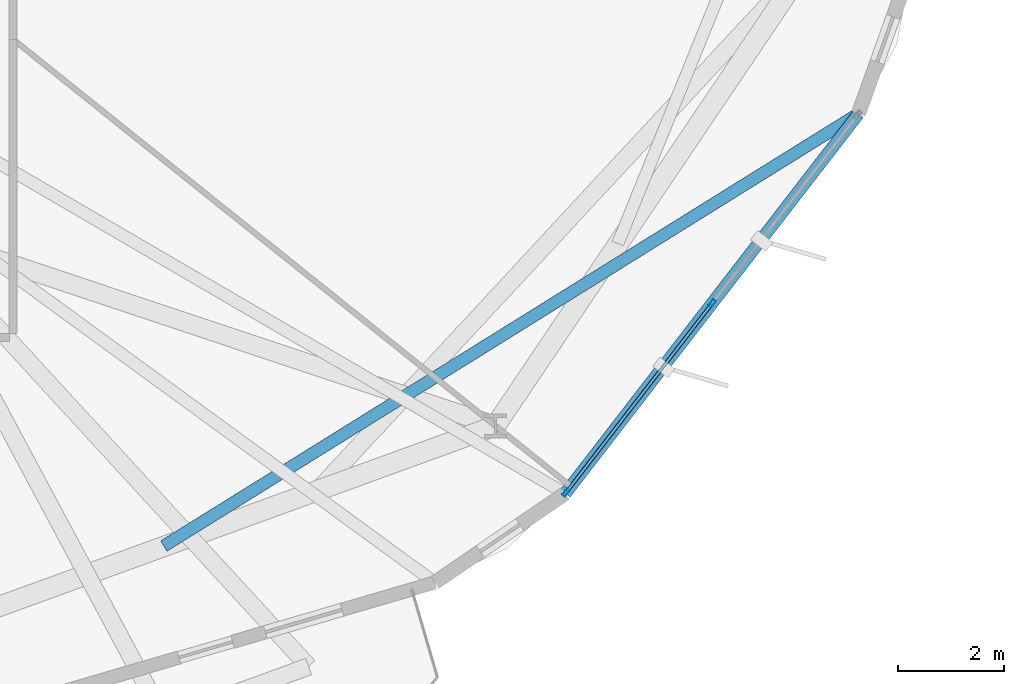
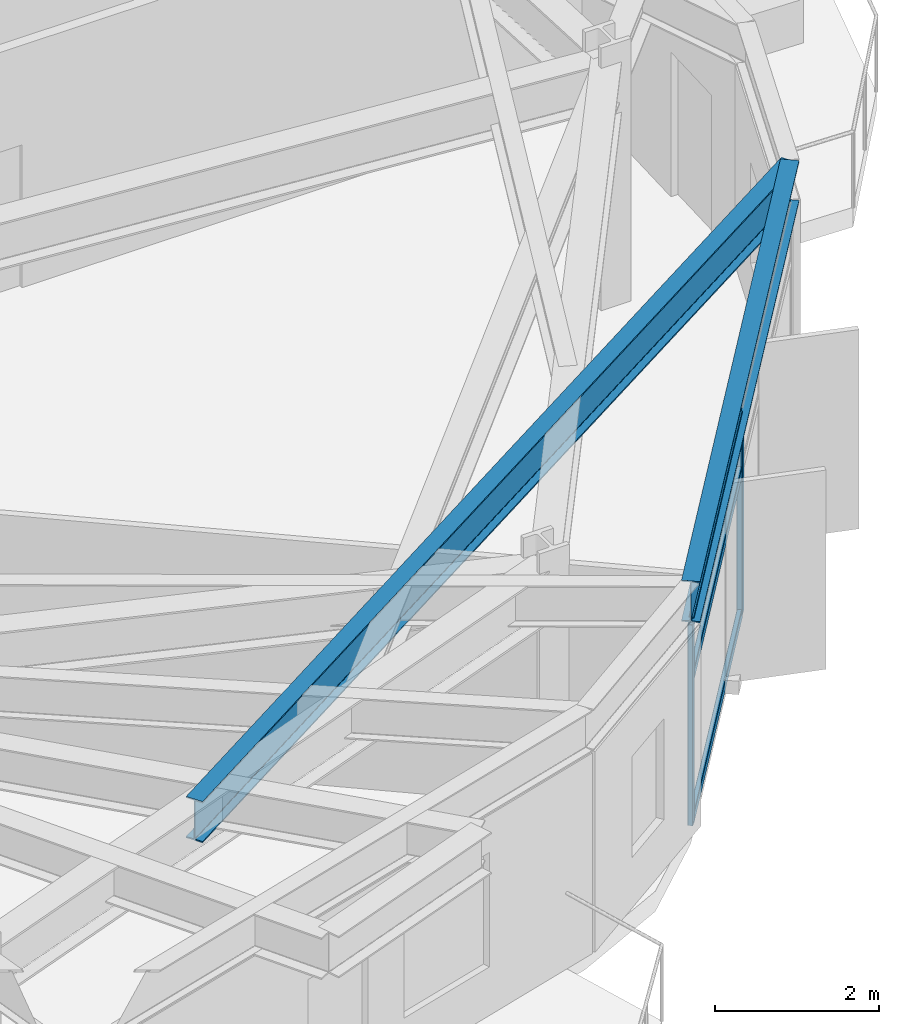
# One storey, part 8 of 24: 5 members, 2 beams, 1 element without a shape of its own.
"""IFC4 building model written with IfcOpenShell, lengths in metres."""

from ifc_helpers import new_model, si_unit, direction, frame, origin, origin_2d, place, context, subcontext, project, spatial, hollow_rectangle, i_section, extrude, material, layer, layer_set, material_profile, profile_set, type_object, element, aggregate, save


model = new_model("IFC4")

# Units and contexts
model_context = context("Model", 3, precision=1e-05, world=origin(), true_north=direction((0.0, 1.0)))
body_context = subcontext(model_context, "Body", "Model", "MODEL_VIEW")
ifc_project = project(units=[si_unit("LENGTHUNIT", "METRE"), si_unit("AREAUNIT", "SQUARE_METRE"), si_unit("VOLUMEUNIT", "CUBIC_METRE"), si_unit("PLANEANGLEUNIT", "RADIAN"), si_unit("MASSUNIT", "GRAM", prefix="KILO")], contexts=[model_context])

# Site, building, storey
site_placement = place(None, origin())
site = spatial("IfcSite", under=ifc_project, at=site_placement, CompositionType="ELEMENT")
building_placement = place(site_placement, origin())
building = spatial("IfcBuilding", under=site, at=building_placement, Name="Soratama Intermodal Tower", CompositionType="ELEMENT")
storey_placement = place(building_placement, frame((0.0, 0.0, 91.300048828125)))
storey = spatial("IfcBuildingStorey", under=building, at=storey_placement, Name="L21", CompositionType="ELEMENT", Elevation=91.300048828125)

# Beams
ifc_material_1 = material(Name="Structural steel ASTM A992 Grade 50", Category="steel")
ifc_material_profile_1 = material_profile(ifc_material_1, i_section(OverallWidth=0.22900390625, OverallDepth=0.612060546875, WebThickness=0.011962890625, FlangeThickness=0.01953125, FilletRadius=0.012939453125, at=origin_2d()), Name="W24X84")
ifc_profile_set_1 = profile_set([ifc_material_profile_1], Name="Structural steel ASTM A992 Grade 50")
beam_type_1 = type_object("IfcBeamType", Name="BM-SPN-W24X84", PredefinedType="SPANDREL", material=ifc_profile_set_1)
beam_1_placement = place(storey_placement, frame((57.02490234375, 10.01708984375, 3.2939453125), z_axis=(0.611226301273, 0.791455879144, 0.0), x_axis=(-0.791455879144, 0.611226301273, 0.0)))
element("IfcBeam", 1, at=beam_1_placement, inside=storey, type_object=beam_type_1, Name="BS-L21-F09", PredefinedType="SPANDREL", context=body_context, shape_type="SweptSolid", body=[
    extrude(i_section(OverallWidth=0.22900390625, OverallDepth=0.612060546875, WebThickness=0.011962890625, FlangeThickness=0.01953125, FilletRadius=0.012939453125, at=origin_2d()), origin(), (0.0, 0.0, 1.0), 9.016357421875),
])
ifc_material_2 = material(Name="Structural steel ASTM A992 Grade 50", Category="steel")
ifc_material_profile_2 = material_profile(ifc_material_2, i_section(OverallWidth=0.22900390625, OverallDepth=0.612060546875, WebThickness=0.011962890625, FlangeThickness=0.01953125, FilletRadius=0.012939453125, at=origin_2d()), Name="W24X84")
ifc_profile_set_2 = profile_set([ifc_material_profile_2], Name="Structural steel ASTM A992 Grade 50")
beam_type_2 = type_object("IfcBeamType", Name="BM-TIE-W24X84", PredefinedType="BEAM", material=ifc_profile_set_2)
beam_2_placement = place(storey_placement, frame((49.48193359375, 9.030029296875, 3.2939453125), z_axis=(0.849039508849, 0.528329359787, 0.0), x_axis=(-0.528329359787, 0.849039508849, 0.0)))
element("IfcBeam", 2, at=beam_2_placement, inside=storey, type_object=beam_type_2, Name="BM-L21-TIE1-09", PredefinedType="BEAM", context=body_context, shape_type="SweptSolid", body=[
    extrude(i_section(OverallWidth=0.22900390625, OverallDepth=0.612060546875, WebThickness=0.011962890625, FlangeThickness=0.01953125, FilletRadius=0.012939453125, at=origin_2d()), origin(), (0.0, 0.0, 1.0), 15.375),
])

# Curtain wall, members
ifc_material_3 = material(Name="Double-glazed aluminium curtain wall", Category="aluminium")
ifc_layer = layer(ifc_material_3, 0.159912109375)
ifc_layer_set = layer_set([ifc_layer], Name="Double-glazed aluminium curtain wall")
curtain_wall_type = type_object("IfcCurtainWallType", Name="CW-SYS-3", PredefinedType="NOTDEFINED", material=ifc_layer_set)
curtain_wall_placement = place(storey_placement, origin())
curtain_wall = element("IfcCurtainWall", 3, at=curtain_wall_placement, inside=storey, type_object=curtain_wall_type, Name="L21 Faceted Curtain Wall F09", PredefinedType="NOTDEFINED")
ifc_material_4 = material(Name="Anodised aluminium AA 6063-T6", Category="aluminium")
ifc_material_profile_3 = material_profile(ifc_material_4, hollow_rectangle(XDim=0.070068359375, YDim=0.159912109375, WallThickness=0.0048828125, InnerFilletRadius=0.0048828125, OuterFilletRadius=0.010009765625, at=origin_2d()), Name="CWM160X70X5")
ifc_profile_set_3 = profile_set([ifc_material_profile_3], Name="Anodised aluminium AA 6063-T6")
member_type_1 = type_object("IfcMemberType", Name="MT-CWM-3", PredefinedType="MULLION", material=ifc_profile_set_3)
member_1_placement = place(storey_placement, frame((57.04296875, 10.040283203125, 0.0), z_axis=(0.0, 0.0, 1.0), x_axis=(-0.79143717295, 0.611250522513, 0.0)))
member_1 = element("IfcMember", 4, at=member_1_placement, type_object=member_type_1, Name="CW-3 mullion 1", PredefinedType="MULLION", context=body_context, shape_type="SweptSolid", body=[
    extrude(hollow_rectangle(XDim=0.070068359375, YDim=0.159912109375, WallThickness=0.0048828125, InnerFilletRadius=0.0048828125, OuterFilletRadius=0.010009765625, at=origin_2d()), origin(), (0.0, 0.0, 1.0), 2.97900390625),
])
member_2_placement = place(storey_placement, frame((59.780517578125, 13.584716796875, 0.0), z_axis=(0.0, 0.0, 1.0), x_axis=(-0.79143717295, 0.611250522513, 0.0)))
member_2 = element("IfcMember", 5, at=member_2_placement, type_object=member_type_1, Name="CW-3 mullion 2", PredefinedType="MULLION", context=body_context, shape_type="SweptSolid", body=[
    extrude(hollow_rectangle(XDim=0.070068359375, YDim=0.159912109375, WallThickness=0.0048828125, InnerFilletRadius=0.0048828125, OuterFilletRadius=0.010009765625, at=origin_2d()), origin(), (0.0, 0.0, 1.0), 2.97900390625),
])
ifc_material_5 = material(Name="Anodised aluminium AA 6063-T6", Category="aluminium")
ifc_material_profile_4 = material_profile(ifc_material_5, hollow_rectangle(XDim=0.06494140625, YDim=0.14990234375, WallThickness=0.0048828125, InnerFilletRadius=0.0048828125, OuterFilletRadius=0.010009765625, at=origin_2d()), Name="CWT150X65X5")
ifc_profile_set_4 = profile_set([ifc_material_profile_4], Name="Anodised aluminium AA 6063-T6")
member_type_2 = type_object("IfcMemberType", Name="TT-CWT-1", PredefinedType="USERDEFINED", material=ifc_profile_set_4)
member_3_placement = place(storey_placement, frame((57.061279296875, 10.06396484375, 0.030029296875), z_axis=(0.611282367093, 0.791412577409, 0.0), x_axis=(-0.791412577409, 0.611282367093, 0.0)))
member_3 = element("IfcMember", 6, at=member_3_placement, type_object=member_type_2, Name="CW-3 transom 1.1", ObjectType="TRANSOM", PredefinedType="USERDEFINED", context=body_context, shape_type="SweptSolid", body=[
    extrude(hollow_rectangle(XDim=0.06494140625, YDim=0.14990234375, WallThickness=0.0048828125, InnerFilletRadius=0.0048828125, OuterFilletRadius=0.010009765625, at=origin_2d()), origin(), (0.0, 0.0, 1.0), 4.41845703125),
])
member_4_placement = place(storey_placement, frame((57.061279296875, 10.06396484375, 2.14990234375), z_axis=(0.611282367093, 0.791412577409, 0.0), x_axis=(-0.791412577409, 0.611282367093, 0.0)))
member_4 = element("IfcMember", 7, at=member_4_placement, type_object=member_type_2, Name="CW-3 transom 1.2", ObjectType="TRANSOM", PredefinedType="USERDEFINED", context=body_context, shape_type="SweptSolid", body=[
    extrude(hollow_rectangle(XDim=0.06494140625, YDim=0.14990234375, WallThickness=0.0048828125, InnerFilletRadius=0.0048828125, OuterFilletRadius=0.010009765625, at=origin_2d()), origin(), (0.0, 0.0, 1.0), 4.41845703125),
])
member_5_placement = place(storey_placement, frame((57.061279296875, 10.06396484375, 2.948974609375), z_axis=(0.611282367093, 0.791412577409, 0.0), x_axis=(-0.791412577409, 0.611282367093, 0.0)))
member_5 = element("IfcMember", 8, at=member_5_placement, type_object=member_type_2, Name="CW-3 transom 1.3", ObjectType="TRANSOM", PredefinedType="USERDEFINED", context=body_context, shape_type="SweptSolid", body=[
    extrude(hollow_rectangle(XDim=0.06494140625, YDim=0.14990234375, WallThickness=0.0048828125, InnerFilletRadius=0.0048828125, OuterFilletRadius=0.010009765625, at=origin_2d()), origin(), (0.0, 0.0, 1.0), 4.41845703125),
])
aggregate(curtain_wall, [member_1, member_2, member_3, member_4, member_5])

save(model, "model.ifc")
